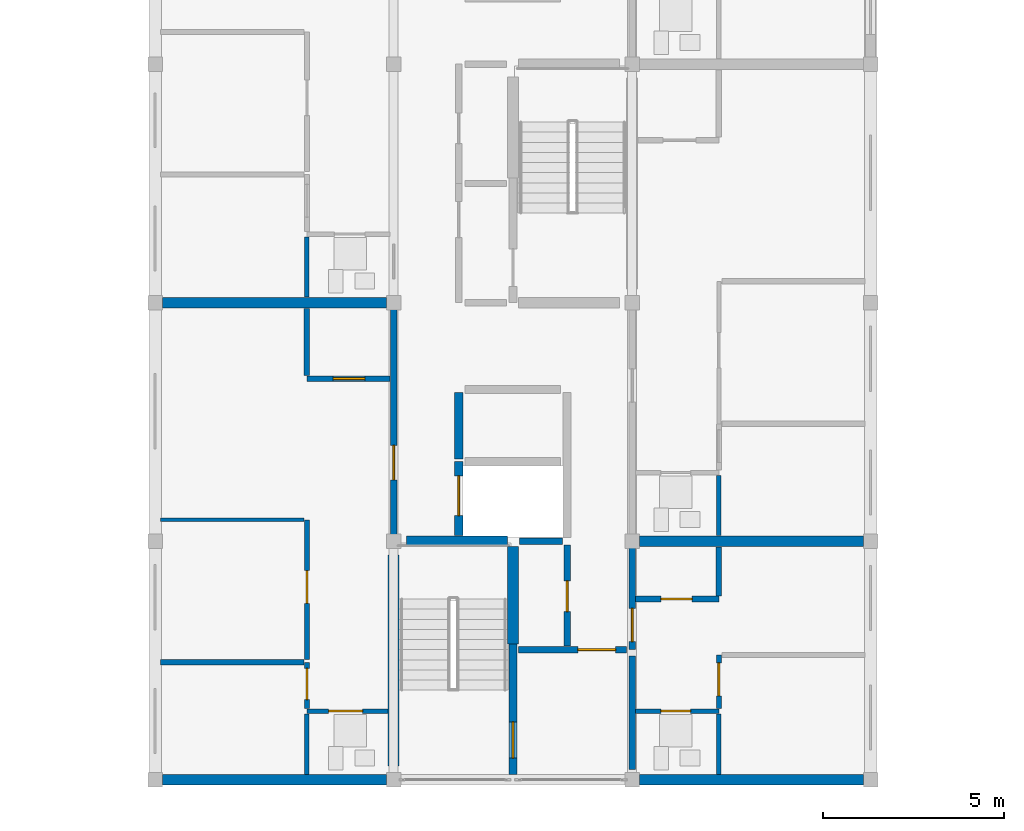
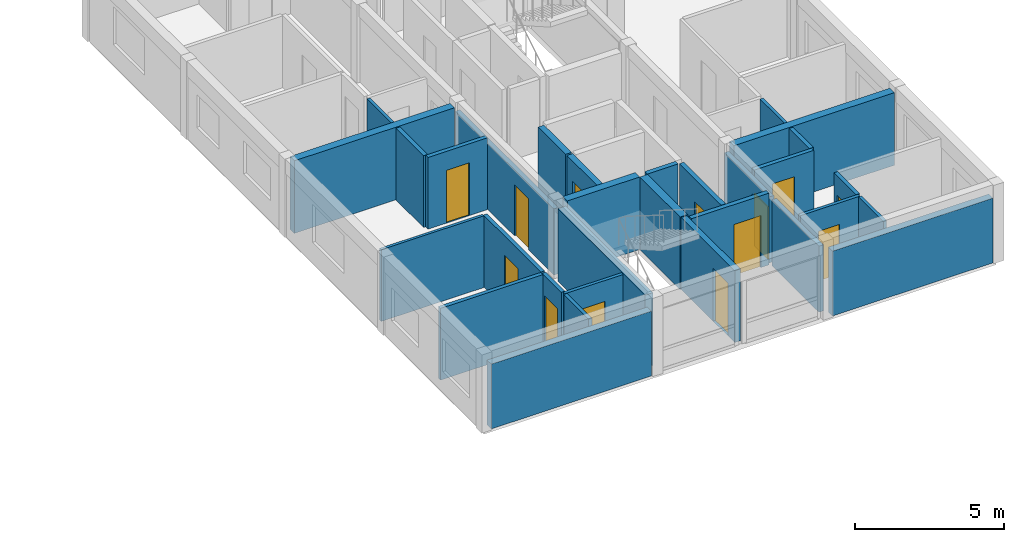
# One storey, part 17 of 34: 31 walls, 13 doors, 13 openings.
"""IFC4 building model written with IfcOpenShell, lengths in metres."""

import ifcopenshell
import ifcopenshell.guid

model = None  # the IFC model being written
_history = None  # IfcOwnerHistory: only IFC2X3 demands one
_inside = {}  # id of a spatial element -> (the spatial element, [elements in it])
_under = {}  # id of a project, library or spatial element -> (it, [spatial elements below it])
_declared = {}  # id of a project -> (the project, [libraries it declares])
_typed = {}  # id of a type object -> (the type object, [elements of that type])
_made_of = {}  # id of a material, layer set ... -> (it, [elements and type objects made of it])


def new_model(schema):
    """Start an empty IFC model of exactly this schema.

    Asked for "IFC4X3", IfcOpenShell would pick the latest addendum, in which some entities
    have other attributes; the version numbers below select the first issue.
    IFC2X3 requires an IfcOwnerHistory on every rooted entity: one is made here for all.
    """
    global model, _history
    if schema == "IFC4X3":
        model = ifcopenshell.file(schema_version=(4, 3, 0, 0))
    else:
        model = ifcopenshell.file(schema=schema)
    _inside.clear()
    _under.clear()
    _declared.clear()
    _typed.clear()
    _made_of.clear()
    _history = None
    if model.schema == "IFC2X3":
        org = make("IfcOrganization", Name="unknown")
        user = make(
            "IfcPersonAndOrganization",
            ThePerson=make("IfcPerson", FamilyName="unknown"),
            TheOrganization=org,
        )
        app = make(
            "IfcApplication",
            ApplicationDeveloper=org,
            Version="unknown",
            ApplicationFullName="unknown",
            ApplicationIdentifier="unknown",
        )
        _history = make(
            "IfcOwnerHistory",
            OwningUser=user,
            OwningApplication=app,
            ChangeAction="ADDED",
            CreationDate=0,
        )
    return model


def make(cls, **values):
    """One entity of the class cls with the attributes given. An attribute that is None is left unset."""
    return model.create_entity(
        cls, **{name: value for name, value in values.items() if value is not None}
    )


def rooted(cls, **values):
    """An entity with a GlobalId (a new one), such as an element, a storey or a relation."""
    return make(cls, GlobalId=ifcopenshell.guid.new(), OwnerHistory=_history, **values)


def si_unit(unit_type, name, prefix=None):
    """IfcSIUnit, for example si_unit("LENGTHUNIT", "METRE", prefix="MILLI")."""
    return make("IfcSIUnit", UnitType=unit_type, Prefix=prefix, Name=name)


def assignment(units):
    """IfcUnitAssignment: the units of a project."""
    return None if units is None else make("IfcUnitAssignment", Units=units)


def point(xyz):
    """IfcCartesianPoint."""
    return None if xyz is None else make("IfcCartesianPoint", Coordinates=xyz)


def direction(xyz):
    """IfcDirection."""
    return None if xyz is None else make("IfcDirection", DirectionRatios=xyz)


def frame(location, z_axis=None, x_axis=None):
    """IfcAxis2Placement3D, a coordinate frame: its origin and axes. An axis left out is left unset."""
    return make(
        "IfcAxis2Placement3D",
        Location=point(location),
        Axis=direction(z_axis),
        RefDirection=direction(x_axis),
    )


def frame_2d(location, x_axis=None):
    """IfcAxis2Placement2D, a coordinate frame in the plane: its origin and x axis."""
    return make(
        "IfcAxis2Placement2D", Location=point(location), RefDirection=direction(x_axis)
    )


def origin():
    """The frame at (0, 0, 0) with its axes left unset."""
    return frame((0.0, 0.0, 0.0))


def place(relative_to, where):
    """IfcLocalPlacement: puts the frame where relative to a parent placement (None: the world)."""
    return make(
        "IfcLocalPlacement", PlacementRelTo=relative_to, RelativePlacement=where
    )


def context(
    kind, dimensions, precision=None, world=None, true_north=None, identifier=None
):
    """IfcGeometricRepresentationContext, for example the 3D "Model" context."""
    return make(
        "IfcGeometricRepresentationContext",
        ContextIdentifier=identifier,
        ContextType=kind,
        CoordinateSpaceDimension=dimensions,
        Precision=precision,
        WorldCoordinateSystem=world,
        TrueNorth=true_north,
    )


def subcontext(parent, identifier, kind, view, scale=None):
    """IfcGeometricRepresentationSubContext, for example "Body" below "Model"."""
    return make(
        "IfcGeometricRepresentationSubContext",
        ContextIdentifier=identifier,
        ContextType=kind,
        ParentContext=parent,
        TargetScale=scale,
        TargetView=view,
    )


def project(units=None, contexts=None):
    """IfcProject with its units and contexts."""
    return rooted(
        "IfcProject",
        Name="project",
        RepresentationContexts=contexts,
        UnitsInContext=assignment(units),
    )


def spatial(cls, under=None, at=None, **own):
    """A site, building, storey or space (cls), placed at a placement, below another one or the project."""
    s = rooted(cls, ObjectPlacement=at, **own)
    if under is not None:
        _under.setdefault(under.id(), (under, []))[1].append(s)
    return s


def profile(cls, at=None, kind="AREA", **sizes):
    """A parametric profile (cls). Its sizes go by their IFC names, for example OverallWidth=200.0."""
    return make(cls, ProfileType=kind, Position=at, **sizes)


def rectangle(**sizes):
    """IfcRectangleProfileDef."""
    return profile("IfcRectangleProfileDef", **sizes)


def extrude(swept, where, along, depth):
    """IfcExtrudedAreaSolid: the profile swept, set in the frame where, extruded along a direction by depth."""
    return make(
        "IfcExtrudedAreaSolid",
        SweptArea=swept,
        Position=where,
        ExtrudedDirection=direction(along),
        Depth=depth,
    )


def shape(context_of_items, identifier, shape_type, items):
    """IfcShapeRepresentation: the items that make up one representation, for example the "Body"."""
    return make(
        "IfcShapeRepresentation",
        ContextOfItems=context_of_items,
        RepresentationIdentifier=identifier,
        RepresentationType=shape_type,
        Items=items,
    )


def material(Name=None, Category=None):
    """IfcMaterial."""
    return make("IfcMaterial", Name=Name, Category=Category)


def layer(
    of_material, thickness, ventilated=None, Name=None, Category=None, Priority=None
):
    """IfcMaterialLayer: one layer of a wall or slab, of a material (None: an air gap)."""
    return make(
        "IfcMaterialLayer",
        Material=of_material,
        LayerThickness=thickness,
        IsVentilated=ventilated,
        Name=Name,
        Category=Category,
        Priority=Priority,
    )


def layer_set(layers, Name=None):
    """IfcMaterialLayerSet."""
    return make("IfcMaterialLayerSet", MaterialLayers=layers, LayerSetName=Name)


def made_of(thing, what):
    """Note that an element or type object is made of a material, layer set ...; save() writes the relation."""
    if what is not None:
        _made_of.setdefault(what.id(), (what, []))[1].append(thing)
    return thing


def type_object(cls, material=None, **own):
    """A type object (cls), such as IfcWallType, which elements share."""
    return made_of(rooted(cls, **own), material)


def element(
    cls,
    number,
    at=None,
    inside=None,
    cuts=None,
    type_object=None,
    material=None,
    context=None,
    identifier="Body",
    shape_type=None,
    held_by="IfcProductDefinitionShape",
    body=None,
    shapes=None,
    **own,
):
    """One element of the class cls, such as IfcWall. Its Tag is "e" and its number.

    at: its placement. inside: the storey or other place that contains it. cuts: it is an
    opening in that element (IfcRelVoidsElement). A single representation is given by context,
    identifier, shape_type and body (its items); several are given by shapes. held_by: the class
    of the entity that holds the representations. save() writes the other relations.
    """
    e = rooted(cls, Tag="e%d" % number, ObjectPlacement=at, **own)
    if body is not None:
        shapes = [shape(context, identifier, shape_type, body)]
    if shapes is not None:
        e.Representation = make(held_by, Representations=shapes)
    if inside is not None:
        _inside.setdefault(inside.id(), (inside, []))[1].append(e)
    if cuts is not None:
        rooted(
            "IfcRelVoidsElement", RelatingBuildingElement=cuts, RelatedOpeningElement=e
        )
    if type_object is not None:
        _typed.setdefault(type_object.id(), (type_object, []))[1].append(e)
    return made_of(e, material)


def fill(opening, filler):
    """IfcRelFillsElement: the door or window that sits in an opening."""
    return rooted(
        "IfcRelFillsElement",
        RelatingOpeningElement=opening,
        RelatedBuildingElement=filler,
    )


def aggregate(whole, parts):
    """IfcRelAggregates: a whole, such as a stair, and the parts it consists of."""
    return rooted("IfcRelAggregates", RelatingObject=whole, RelatedObjects=parts)


def save(model, path):
    """Write the relations noted so far, then the file.

    IfcRelAggregates (storeys below a building ...), IfcRelContainedInSpatialStructure (elements
    in a storey), IfcRelDefinesByType, IfcRelAssociatesMaterial and IfcRelDeclares: one each for
    every whole, place, type object, material and project.
    """
    for whole, parts in _under.values():
        aggregate(whole, parts)
    for where, things in _inside.values():
        rooted(
            "IfcRelContainedInSpatialStructure",
            RelatedElements=things,
            RelatingStructure=where,
        )
    for kind, things in _typed.values():
        rooted("IfcRelDefinesByType", RelatedObjects=things, RelatingType=kind)
    for what, things in _made_of.values():
        rooted("IfcRelAssociatesMaterial", RelatedObjects=things, RelatingMaterial=what)
    for by, libraries in _declared.values():
        rooted("IfcRelDeclares", RelatingContext=by, RelatedDefinitions=libraries)
    model.write(path)


model = new_model("IFC4")

# Units and contexts
model_context = context("Model", 3, precision=1e-05, world=origin(), true_north=direction((0.0, 1.0)))
body_context = subcontext(model_context, "Body", "Model", "MODEL_VIEW")
ifc_project = project(units=[si_unit("LENGTHUNIT", "METRE"), si_unit("AREAUNIT", "SQUARE_METRE"), si_unit("VOLUMEUNIT", "CUBIC_METRE"), si_unit("PLANEANGLEUNIT", "RADIAN"), si_unit("MASSUNIT", "GRAM", prefix="KILO")], contexts=[model_context])

# Site, building, storey
site_placement = place(None, origin())
site = spatial("IfcSite", under=ifc_project, at=site_placement, CompositionType="ELEMENT")
building_placement = place(site_placement, origin())
building = spatial("IfcBuilding", under=site, at=building_placement, Name="Kernevlak Ridge Housing Community", CompositionType="ELEMENT")
storey_placement = place(building_placement, frame((0.0, 0.0, 34.0)))
storey = spatial("IfcBuildingStorey", under=building, at=storey_placement, Name="L10", CompositionType="ELEMENT", Elevation=34.0)

# Walls
ifc_material_1 = material(Name="Concrete block masonry M10", Category="masonry")
ifc_layer_1 = layer(ifc_material_1, 0.280029296875, Name="Concrete block masonry M10")
ifc_layer_set_1 = layer_set([ifc_layer_1], Name="Concrete block masonry M10")
wall_type_1 = type_object("IfcWallType", Name="EW-03", PredefinedType="STANDARD", material=ifc_layer_set_1)
wall_1_placement = place(storey_placement, frame((126.199951171875, 15.60009765625, 0.0), z_axis=(0.0, 0.0, 1.0), x_axis=(1.0, 0.0, 0.0)))
element("IfcWall", 1, at=wall_1_placement, inside=storey, type_object=wall_type_1, Name="Exterior wall EW-03 L10 680", PredefinedType="STANDARD", context=body_context, shape_type="SweptSolid", body=[
    extrude(rectangle(XDim=6.199951171875, YDim=0.280029296875, at=frame_2d((3.10009765625, 0.0))), origin(), (0.0, 0.0, 1.0), 2.64990234375),
])
wall_2_placement = place(storey_placement, frame((139.39990234375, 15.60009765625, 0.0), z_axis=(0.0, 0.0, 1.0), x_axis=(1.0, 0.0, 0.0)))
element("IfcWall", 2, at=wall_2_placement, inside=storey, type_object=wall_type_1, Name="Exterior wall EW-03 L10 681", PredefinedType="STANDARD", context=body_context, shape_type="SweptSolid", body=[
    extrude(rectangle(XDim=6.2001953125, YDim=0.280029296875, at=frame_2d((3.10009765625, 0.0))), origin(), (0.0, 0.0, 1.0), 2.64990234375),
])

# Wall, opening, door
ifc_material_2 = material(Name="Concrete C35/45", Category="concrete")
ifc_layer_2 = layer(ifc_material_2, 0.22509765625, Name="Concrete C35/45")
ifc_layer_set_2 = layer_set([ifc_layer_2], Name="Concrete C35/45")
wall_type_2 = type_object("IfcWallType", Name="PW-01", PredefinedType="STANDARD", material=ifc_layer_set_2)
wall_3_placement = place(storey_placement, frame((135.89990234375, 15.75, 0.0), z_axis=(0.0, 0.0, 1.0), x_axis=(0.0, 1.0, 0.0)))
wall_3 = element("IfcWall", 3, at=wall_3_placement, inside=storey, type_object=wall_type_2, Name="Interior wall PW-01 WAL-INT-L10-2729", PredefinedType="STANDARD", context=body_context, shape_type="SweptSolid", body=[
    extrude(rectangle(XDim=3.60009765625, YDim=0.22509765625, at=frame_2d((1.800048828125, 0.0))), origin(), (0.0, 0.0, 1.0), 2.93505859375),
])
opening_1_placement = place(wall_3_placement, frame((0.449951171875, 0.0, 0.0)))
opening_1 = element("IfcOpeningElement", 4, at=opening_1_placement, cuts=wall_3, Name="Opening E385", PredefinedType="OPENING", context=body_context, shape_type="SweptSolid", body=[
    extrude(rectangle(XDim=1.0, YDim=2.159912109375, at=frame_2d((0.5, 1.080078125))), frame((0.0, 0.12255859375, 0.0), z_axis=(0.0, -1.0, 0.0), x_axis=(1.0, 0.0, 0.0)), (0.0, 0.0, 1.0), 0.2451171875),
])
ifc_material_3 = material(Name="Fire-rated sheet steel leaf", Category="steel")
door_type_1 = type_object("IfcDoorType", Name="DT-15", OperationType="NOTDEFINED", PredefinedType="DOOR", material=ifc_material_3)
door_1_placement = place(opening_1_placement, origin())
door_1 = element("IfcDoor", 5, at=door_1_placement, inside=storey, type_object=door_type_1, Name="Block C Stair 1 fire door E385", OperationType="SINGLE_SWING_RIGHT", OverallHeight=2.159912109375, OverallWidth=1.0, PredefinedType="DOOR", context=body_context, shape_type="SweptSolid", body=[
    extrude(rectangle(XDim=1.0, YDim=2.159912109375, at=frame_2d((0.5, 1.080078125))), frame((0.0, 0.02490234375, 0.0), z_axis=(0.0, -1.0, 0.0), x_axis=(1.0, 0.0, 0.0)), (0.0, 0.0, 1.0), 0.050048828125),
])
fill(opening_1, door_1)

wall_4_placement = place(storey_placement, frame((134.39990234375, 22.360107421875, 0.0), z_axis=(0.0, 0.0, 1.0), x_axis=(0.0, 1.0, 0.0)))
wall_4 = element("IfcWall", 6, at=wall_4_placement, inside=storey, type_object=wall_type_2, Name="Interior wall PW-01 WAL-INT-L10-2733", PredefinedType="STANDARD", context=body_context, shape_type="SweptSolid", body=[
    extrude(rectangle(XDim=2.039794921875, YDim=0.22509765625, at=frame_2d((1.02001953125, 0.0))), origin(), (0.0, 0.0, 1.0), 2.93505859375),
])
opening_2_placement = place(wall_4_placement, frame((0.550048828125, 0.0, 0.0)))
opening_2 = element("IfcOpeningElement", 7, at=opening_2_placement, cuts=wall_4, Name="Opening LD74", PredefinedType="OPENING", context=body_context, shape_type="SweptSolid", body=[
    extrude(rectangle(XDim=1.10009765625, YDim=2.10009765625, at=frame_2d((0.550048828125, 1.050048828125))), frame((0.0, 0.12255859375, 0.0), z_axis=(0.0, -1.0, 0.0), x_axis=(1.0, 0.0, 0.0)), (0.0, 0.0, 1.0), 0.2451171875),
])
ifc_material_4 = material(Name="Stainless steel EN 1.4401", Category="steel")
door_type_2 = type_object("IfcDoorType", Name="DT-LD1", OperationType="DOUBLE_DOOR_SLIDING", PredefinedType="DOOR", material=ifc_material_4)
door_2_placement = place(opening_2_placement, origin())
door_2 = element("IfcDoor", 8, at=door_2_placement, inside=storey, type_object=door_type_2, Name="Lift LF-C1 landing door LD74", OperationType="DOUBLE_DOOR_SLIDING", OverallHeight=2.10009765625, OverallWidth=1.10009765625, PredefinedType="DOOR", context=body_context, shape_type="SweptSolid", body=[
    extrude(rectangle(XDim=1.10009765625, YDim=2.10009765625, at=frame_2d((0.550048828125, 1.050048828125))), frame((0.0, 0.02490234375, 0.0), z_axis=(0.0, -1.0, 0.0), x_axis=(1.0, 0.0, 0.0)), (0.0, 0.0, 1.0), 0.050048828125),
])
fill(opening_2, door_2)

# Wall
wall_5_placement = place(storey_placement, frame((134.39990234375, 24.47998046875, 0.0), z_axis=(0.0, 0.0, 1.0), x_axis=(0.0, 1.0, 0.0)))
element("IfcWall", 9, at=wall_5_placement, inside=storey, type_object=wall_type_2, Name="Interior wall PW-01 WAL-INT-L10-2734", PredefinedType="STANDARD", context=body_context, shape_type="SweptSolid", body=[
    extrude(rectangle(XDim=1.840087890625, YDim=0.22509765625, at=frame_2d((0.919921875, 0.0))), origin(), (0.0, 0.0, 1.0), 2.93505859375),
])

# Wall, opening, door
ifc_layer_3 = layer(ifc_material_1, 0.175048828125, Name="Concrete block masonry M10")
ifc_layer_set_3 = layer_set([ifc_layer_3], Name="Concrete block masonry M10")
wall_type_3 = type_object("IfcWallType", Name="PW-02", PredefinedType="PARTITIONING", material=ifc_layer_set_3)
wall_6_placement = place(storey_placement, frame((136.050048828125, 19.199951171875, 0.0), z_axis=(0.0, 0.0, 1.0), x_axis=(1.0, 0.0, 0.0)))
wall_6 = element("IfcWall", 10, at=wall_6_placement, inside=storey, type_object=wall_type_3, Name="Interior wall PW-02 WAL-INT-L10-2730", PredefinedType="PARTITIONING", context=body_context, shape_type="SweptSolid", body=[
    extrude(rectangle(XDim=3.0, YDim=0.175048828125, at=frame_2d((1.5, 0.0))), origin(), (0.0, 0.0, 1.0), 2.93505859375),
])
opening_3_placement = place(wall_6_placement, frame((1.64990234375, 0.0, 0.0)))
opening_3 = element("IfcOpeningElement", 11, at=opening_3_placement, cuts=wall_6, Name="Opening E386", PredefinedType="OPENING", context=body_context, shape_type="SweptSolid", body=[
    extrude(rectangle(XDim=1.0400390625, YDim=2.1201171875, at=frame_2d((0.52001953125, 1.06005859375))), frame((0.0, 0.097412109375, 0.0), z_axis=(0.0, -1.0, 0.0), x_axis=(1.0, 0.0, 0.0)), (0.0, 0.0, 1.0), 0.195068359375),
])
door_type_3 = type_object("IfcDoorType", Name="DT-16", OperationType="NOTDEFINED", PredefinedType="DOOR", material=ifc_material_3)
door_3_placement = place(opening_3_placement, origin())
door_3 = element("IfcDoor", 12, at=door_3_placement, inside=storey, type_object=door_type_3, Name="Block C Firefighting lobby 1 door E386", OperationType="SINGLE_SWING_LEFT", OverallHeight=2.1201171875, OverallWidth=1.0400390625, PredefinedType="DOOR", context=body_context, shape_type="SweptSolid", body=[
    extrude(rectangle(XDim=1.0400390625, YDim=2.1201171875, at=frame_2d((0.52001953125, 1.06005859375))), frame((0.0, 0.02490234375, 0.0), z_axis=(0.0, -1.0, 0.0), x_axis=(1.0, 0.0, 0.0)), (0.0, 0.0, 1.0), 0.050048828125),
])
fill(opening_3, door_3)

wall_7_placement = place(storey_placement, frame((137.39990234375, 19.300048828125, 0.0), z_axis=(0.0, 0.0, 1.0), x_axis=(0.0, 1.0, 0.0)))
wall_7 = element("IfcWall", 13, at=wall_7_placement, inside=storey, type_object=wall_type_3, Name="Interior wall PW-02 WAL-INT-L10-2731", PredefinedType="PARTITIONING", context=body_context, shape_type="SweptSolid", body=[
    extrude(rectangle(XDim=2.800048828125, YDim=0.175048828125, at=frame_2d((1.39990234375, 0.0))), origin(), (0.0, 0.0, 1.0), 2.93505859375),
])
opening_4_placement = place(wall_7_placement, frame((0.949951171875, 0.0, 0.0)))
opening_4 = element("IfcOpeningElement", 14, at=opening_4_placement, cuts=wall_7, Name="Opening E387", PredefinedType="OPENING", context=body_context, shape_type="SweptSolid", body=[
    extrude(rectangle(XDim=0.85009765625, YDim=2.0, at=frame_2d((0.425048828125, 1.0))), frame((0.0, 0.097412109375, 0.0), z_axis=(0.0, -1.0, 0.0), x_axis=(1.0, 0.0, 0.0)), (0.0, 0.0, 1.0), 0.195068359375),
])
door_type_4 = type_object("IfcDoorType", Name="DT-07", OperationType="NOTDEFINED", PredefinedType="DOOR", material=ifc_material_3)
door_4_placement = place(opening_4_placement, origin())
door_4 = element("IfcDoor", 15, at=door_4_placement, inside=storey, type_object=door_type_4, Name="Block C Riser shaft door E387", OperationType="SINGLE_SWING_RIGHT", OverallHeight=2.0, OverallWidth=0.85009765625, PredefinedType="DOOR", context=body_context, shape_type="SweptSolid", body=[
    extrude(rectangle(XDim=0.85009765625, YDim=2.0, at=frame_2d((0.425048828125, 1.0))), frame((0.0, 0.02490234375, 0.0), z_axis=(0.0, -1.0, 0.0), x_axis=(1.0, 0.0, 0.0)), (0.0, 0.0, 1.0), 0.050048828125),
])
fill(opening_4, door_4)

# Wall
wall_8_placement = place(storey_placement, frame((136.080078125, 22.199951171875, 0.0), z_axis=(0.0, 0.0, 1.0), x_axis=(1.0, 0.0, 0.0)))
element("IfcWall", 16, at=wall_8_placement, inside=storey, type_object=wall_type_3, Name="Interior wall PW-02 WAL-INT-L10-2732", PredefinedType="PARTITIONING", context=body_context, shape_type="SweptSolid", body=[
    extrude(rectangle(XDim=1.18994140625, YDim=0.175048828125, at=frame_2d((0.594970703125, 0.0))), origin(), (0.0, 0.0, 1.0), 2.93505859375),
])

# Wall, opening, door
wall_9_placement = place(storey_placement, frame((132.60009765625, 22.199951171875, 0.0), z_axis=(0.0, 0.0, 1.0), x_axis=(0.0, 1.0, 0.0)))
wall_9 = element("IfcWall", 17, at=wall_9_placement, inside=storey, type_object=wall_type_3, Name="Interior wall PW-02 WAL-INT-L10-2748", PredefinedType="PARTITIONING", context=body_context, shape_type="SweptSolid", body=[
    extrude(rectangle(XDim=6.60009765625, YDim=0.175048828125, at=frame_2d((3.300048828125, 0.0))), origin(), (0.0, 0.0, 1.0), 2.699951171875),
])
opening_5_placement = place(wall_9_placement, frame((1.699951171875, 0.0, 0.0)))
opening_5 = element("IfcOpeningElement", 18, at=opening_5_placement, cuts=wall_9, Name="Opening E392", PredefinedType="OPENING", context=body_context, shape_type="SweptSolid", body=[
    extrude(rectangle(XDim=0.949951171875, YDim=2.10009765625, at=frame_2d((0.47509765625, 1.050048828125))), frame((0.0, 0.097412109375, 0.0), z_axis=(0.0, -1.0, 0.0), x_axis=(1.0, 0.0, 0.0)), (0.0, 0.0, 1.0), 0.195068359375),
])
ifc_material_5 = material(Name="Hardwood timber solid-core fire leaf", Category="wood")
door_type_5 = type_object("IfcDoorType", Name="DT-01", OperationType="NOTDEFINED", PredefinedType="DOOR", material=ifc_material_5)
door_5_placement = place(opening_5_placement, origin())
door_5 = element("IfcDoor", 19, at=door_5_placement, inside=storey, type_object=door_type_5, Name="Flat C1011 entrance fire door E392", OperationType="SINGLE_SWING_LEFT", OverallHeight=2.10009765625, OverallWidth=0.949951171875, PredefinedType="DOOR", context=body_context, shape_type="SweptSolid", body=[
    extrude(rectangle(XDim=0.949951171875, YDim=2.10009765625, at=frame_2d((0.47509765625, 1.050048828125))), frame((0.0, 0.02490234375, 0.0), z_axis=(0.0, -1.0, 0.0), x_axis=(1.0, 0.0, 0.0)), (0.0, 0.0, 1.0), 0.050048828125),
])
fill(opening_5, door_5)

# Wall
wall_10_placement = place(storey_placement, frame((139.199951171875, 15.8798828125, 0.0), z_axis=(0.0, 0.0, 1.0), x_axis=(0.0, 1.0, 0.0)))
element("IfcWall", 20, at=wall_10_placement, inside=storey, type_object=wall_type_3, Name="Interior wall PW-02 WAL-INT-L10-2766", PredefinedType="PARTITIONING", context=body_context, shape_type="SweptSolid", body=[
    extrude(rectangle(XDim=3.14013671875, YDim=0.175048828125, at=frame_2d((1.570068359375, 0.0))), origin(), (0.0, 0.0, 1.0), 2.699951171875),
])

# Wall, opening, door
wall_11_placement = place(storey_placement, frame((139.199951171875, 19.199951171875, 0.0), z_axis=(0.0, 0.0, 1.0), x_axis=(0.0, 1.0, 0.0)))
wall_11 = element("IfcWall", 21, at=wall_11_placement, inside=storey, type_object=wall_type_3, Name="Interior wall PW-02 WAL-INT-L10-2767", PredefinedType="PARTITIONING", context=body_context, shape_type="SweptSolid", body=[
    extrude(rectangle(XDim=3.0, YDim=0.175048828125, at=frame_2d((1.5, 0.0))), origin(), (0.0, 0.0, 1.0), 2.699951171875),
])
opening_6_placement = place(wall_11_placement, frame((0.219970703125, 0.0, 0.0)))
opening_6 = element("IfcOpeningElement", 22, at=opening_6_placement, cuts=wall_11, Name="Opening E402", PredefinedType="OPENING", context=body_context, shape_type="SweptSolid", body=[
    extrude(rectangle(XDim=0.919921875, YDim=2.139892578125, at=frame_2d((0.4599609375, 1.06982421875))), frame((0.0, 0.097412109375, 0.0), z_axis=(0.0, -1.0, 0.0), x_axis=(1.0, 0.0, 0.0)), (0.0, 0.0, 1.0), 0.195068359375),
])
door_type_6 = type_object("IfcDoorType", Name="DT-20", OperationType="NOTDEFINED", PredefinedType="DOOR", material=ifc_material_5)
door_6_placement = place(opening_6_placement, origin())
door_6 = element("IfcDoor", 23, at=door_6_placement, inside=storey, type_object=door_type_6, Name="Flat C1021 entrance fire door E402", OperationType="SINGLE_SWING_LEFT", OverallHeight=2.139892578125, OverallWidth=0.919921875, PredefinedType="DOOR", context=body_context, shape_type="SweptSolid", body=[
    extrude(rectangle(XDim=0.919921875, YDim=2.139892578125, at=frame_2d((0.4599609375, 1.06982421875))), frame((0.0, 0.02490234375, 0.0), z_axis=(0.0, -1.0, 0.0), x_axis=(1.0, 0.0, 0.0)), (0.0, 0.0, 1.0), 0.050048828125),
])
fill(opening_6, door_6)

ifc_layer_4 = layer(ifc_material_1, 0.14501953125, Name="Concrete block masonry M10")
ifc_layer_set_4 = layer_set([ifc_layer_4], Name="Concrete block masonry M10")
wall_type_4 = type_object("IfcWallType", Name="PW-03", PredefinedType="PARTITIONING", material=ifc_layer_set_4)
wall_12_placement = place(storey_placement, frame((130.199951171875, 17.572509765625, 0.0), z_axis=(0.0, 0.0, 1.0), x_axis=(0.0, 1.0, 0.0)))
wall_12 = element("IfcWall", 24, at=wall_12_placement, inside=storey, type_object=wall_type_4, Name="Interior wall PW-03 WAL-INT-L10-2753", PredefinedType="PARTITIONING", context=body_context, shape_type="SweptSolid", body=[
    extrude(rectangle(XDim=1.277587890625, YDim=0.14501953125, at=frame_2d((0.638671875, 0.0))), origin(), (0.0, 0.0, 1.0), 2.93505859375),
])
opening_7_placement = place(wall_12_placement, frame((0.24755859375, 0.0, 0.0)))
opening_7 = element("IfcOpeningElement", 25, at=opening_7_placement, cuts=wall_12, Name="Opening E395", PredefinedType="OPENING", context=body_context, shape_type="SweptSolid", body=[
    extrude(rectangle(XDim=0.860107421875, YDim=2.1201171875, at=frame_2d((0.43017578125, 1.06005859375))), frame((0.0, 0.08251953125, 0.0), z_axis=(0.0, -1.0, 0.0), x_axis=(1.0, 0.0, 0.0)), (0.0, 0.0, 1.0), 0.1650390625),
])
ifc_material_6 = material(Name="Hardwood timber leaf", Category="wood")
door_type_7 = type_object("IfcDoorType", Name="DT-28", OperationType="NOTDEFINED", PredefinedType="DOOR", material=ifc_material_6)
door_7_placement = place(opening_7_placement, origin())
door_7 = element("IfcDoor", 26, at=door_7_placement, inside=storey, type_object=door_type_7, Name="Flat C1011 bedroom door E395", OperationType="SINGLE_SWING_RIGHT", OverallHeight=2.1201171875, OverallWidth=0.860107421875, PredefinedType="DOOR", context=body_context, shape_type="SweptSolid", body=[
    extrude(rectangle(XDim=0.860107421875, YDim=2.1201171875, at=frame_2d((0.43017578125, 1.06005859375))), frame((0.0, 0.02490234375, 0.0), z_axis=(0.0, -1.0, 0.0), x_axis=(1.0, 0.0, 0.0)), (0.0, 0.0, 1.0), 0.050048828125),
])
fill(opening_7, door_7)

# Wall
wall_13_placement = place(storey_placement, frame((130.117431640625, 18.85009765625, 0.0), z_axis=(0.0, 0.0, 1.0), x_axis=(-1.0, 0.0, 0.0)))
element("IfcWall", 27, at=wall_13_placement, inside=storey, type_object=wall_type_4, Name="Interior wall PW-03 WAL-INT-L10-2754", PredefinedType="PARTITIONING", context=body_context, shape_type="SweptSolid", body=[
    extrude(rectangle(XDim=3.967529296875, YDim=0.14501953125, at=frame_2d((1.98388671875, 0.0))), origin(), (0.0, 0.0, 1.0), 2.93505859375),
])

# Wall, opening, door
wall_14_placement = place(storey_placement, frame((130.199951171875, 18.9326171875, 0.0), z_axis=(0.0, 0.0, 1.0), x_axis=(0.0, 1.0, 0.0)))
wall_14 = element("IfcWall", 28, at=wall_14_placement, inside=storey, type_object=wall_type_4, Name="Interior wall PW-03 WAL-INT-L10-2755", PredefinedType="PARTITIONING", context=body_context, shape_type="SweptSolid", body=[
    extrude(rectangle(XDim=3.859375, YDim=0.14501953125, at=frame_2d((1.9296875, 0.0))), origin(), (0.0, 0.0, 1.0), 2.93505859375),
])
opening_8_placement = place(wall_14_placement, frame((1.5458984375, 0.0, 0.0)))
opening_8 = element("IfcOpeningElement", 29, at=opening_8_placement, cuts=wall_14, Name="Opening E396", PredefinedType="OPENING", context=body_context, shape_type="SweptSolid", body=[
    extrude(rectangle(XDim=0.909912109375, YDim=2.139892578125, at=frame_2d((0.455078125, 1.06982421875))), frame((0.0, 0.08251953125, 0.0), z_axis=(0.0, -1.0, 0.0), x_axis=(1.0, 0.0, 0.0)), (0.0, 0.0, 1.0), 0.1650390625),
])
door_type_8 = type_object("IfcDoorType", Name="DT-31", OperationType="NOTDEFINED", PredefinedType="DOOR", material=ifc_material_6)
door_8_placement = place(opening_8_placement, origin())
door_8 = element("IfcDoor", 30, at=door_8_placement, inside=storey, type_object=door_type_8, Name="Flat C1011 bedroom door E396", OperationType="SINGLE_SWING_LEFT", OverallHeight=2.139892578125, OverallWidth=0.909912109375, PredefinedType="DOOR", context=body_context, shape_type="SweptSolid", body=[
    extrude(rectangle(XDim=0.909912109375, YDim=2.139892578125, at=frame_2d((0.455078125, 1.06982421875))), frame((0.0, 0.02490234375, 0.0), z_axis=(0.0, -1.0, 0.0), x_axis=(1.0, 0.0, 0.0)), (0.0, 0.0, 1.0), 0.050048828125),
])
fill(opening_8, door_8)

wall_15_placement = place(storey_placement, frame((141.60009765625, 17.572509765625, 0.0), z_axis=(0.0, 0.0, 1.0), x_axis=(0.0, 1.0, 0.0)))
wall_15 = element("IfcWall", 31, at=wall_15_placement, inside=storey, type_object=wall_type_4, Name="Interior wall PW-03 WAL-INT-L10-2772", PredefinedType="PARTITIONING", context=body_context, shape_type="SweptSolid", body=[
    extrude(rectangle(XDim=1.4775390625, YDim=0.14501953125, at=frame_2d((0.73876953125, 0.0))), origin(), (0.0, 0.0, 1.0), 2.93505859375),
])
opening_9_placement = place(wall_15_placement, frame((0.35009765625, 0.0, 0.0)))
opening_9 = element("IfcOpeningElement", 32, at=opening_9_placement, cuts=wall_15, Name="Opening E405", PredefinedType="OPENING", context=body_context, shape_type="SweptSolid", body=[
    extrude(rectangle(XDim=0.909912109375, YDim=2.139892578125, at=frame_2d((0.455078125, 1.06982421875))), frame((0.0, 0.08251953125, 0.0), z_axis=(0.0, -1.0, 0.0), x_axis=(1.0, 0.0, 0.0)), (0.0, 0.0, 1.0), 0.1650390625),
])
door_9_placement = place(opening_9_placement, origin())
door_9 = element("IfcDoor", 33, at=door_9_placement, inside=storey, type_object=door_type_8, Name="Flat C1021 bedroom door E405", OperationType="SINGLE_SWING_RIGHT", OverallHeight=2.139892578125, OverallWidth=0.909912109375, PredefinedType="DOOR", context=body_context, shape_type="SweptSolid", body=[
    extrude(rectangle(XDim=0.909912109375, YDim=2.139892578125, at=frame_2d((0.455078125, 1.06982421875))), frame((0.0, 0.02490234375, 0.0), z_axis=(0.0, -1.0, 0.0), x_axis=(1.0, 0.0, 0.0)), (0.0, 0.0, 1.0), 0.050048828125),
])
fill(opening_9, door_9)

ifc_material_7 = material(Name="Gypsum plasterboard EN 520", Category="gypsum")
ifc_layer_5 = layer(ifc_material_7, 0.125, Name="Gypsum plasterboard EN 520")
ifc_layer_set_5 = layer_set([ifc_layer_5], Name="Gypsum plasterboard EN 520")
wall_type_5 = type_object("IfcWallType", Name="PW-04", PredefinedType="PARTITIONING", material=ifc_layer_set_5)
wall_16_placement = place(storey_placement, frame((132.43994140625, 17.5, 0.0), z_axis=(0.0, 0.0, 1.0), x_axis=(-1.0, 0.0, 0.0)))
wall_16 = element("IfcWall", 34, at=wall_16_placement, inside=storey, type_object=wall_type_5, Name="Interior wall PW-04 WAL-INT-L10-2749", PredefinedType="PARTITIONING", context=body_context, shape_type="SweptSolid", body=[
    extrude(rectangle(XDim=2.239990234375, YDim=0.125, at=frame_2d((1.1201171875, 0.0))), origin(), (0.0, 0.0, 1.0), 2.93505859375),
])
opening_10_placement = place(wall_16_placement, frame((0.699951171875, 0.0, 0.0)))
opening_10 = element("IfcOpeningElement", 35, at=opening_10_placement, cuts=wall_16, Name="Opening E393", PredefinedType="OPENING", context=body_context, shape_type="SweptSolid", body=[
    extrude(rectangle(XDim=0.93994140625, YDim=2.080078125, at=frame_2d((0.469970703125, 1.0400390625))), frame((0.0, 0.072509765625, 0.0), z_axis=(0.0, -1.0, 0.0), x_axis=(1.0, 0.0, 0.0)), (0.0, 0.0, 1.0), 0.14501953125),
])
ifc_material_8 = material(Name="Hardwood timber moisture-resistant leaf", Category="wood")
door_type_9 = type_object("IfcDoorType", Name="DT-23", OperationType="NOTDEFINED", PredefinedType="DOOR", material=ifc_material_8)
door_10_placement = place(opening_10_placement, origin())
door_10 = element("IfcDoor", 36, at=door_10_placement, inside=storey, type_object=door_type_9, Name="Flat C1011 bathroom door E393", OperationType="SINGLE_SWING_RIGHT", OverallHeight=2.080078125, OverallWidth=0.93994140625, PredefinedType="DOOR", context=body_context, shape_type="SweptSolid", body=[
    extrude(rectangle(XDim=0.93994140625, YDim=2.080078125, at=frame_2d((0.469970703125, 1.0400390625))), frame((0.0, 0.02490234375, 0.0), z_axis=(0.0, -1.0, 0.0), x_axis=(1.0, 0.0, 0.0)), (0.0, 0.0, 1.0), 0.050048828125),
])
fill(opening_10, door_10)

# Walls
wall_17_placement = place(storey_placement, frame((130.199951171875, 15.75, 0.0), z_axis=(0.0, 0.0, 1.0), x_axis=(0.0, 1.0, 0.0)))
element("IfcWall", 37, at=wall_17_placement, inside=storey, type_object=wall_type_5, Name="Interior wall PW-04 WAL-INT-L10-2750", PredefinedType="PARTITIONING", context=body_context, shape_type="SweptSolid", body=[
    extrude(rectangle(XDim=1.669921875, YDim=0.125, at=frame_2d((0.8349609375, 0.0))), origin(), (0.0, 0.0, 1.0), 2.93505859375),
])
wall_18_placement = place(storey_placement, frame((130.199951171875, 28.9599609375, 0.0), z_axis=(0.0, 0.0, 1.0), x_axis=(0.0, 1.0, 0.0)))
element("IfcWall", 38, at=wall_18_placement, inside=storey, type_object=wall_type_5, Name="Interior wall PW-04 WAL-INT-L10-2759", PredefinedType="PARTITIONING", context=body_context, shape_type="SweptSolid", body=[
    extrude(rectangle(XDim=1.66015625, YDim=0.125, at=frame_2d((0.830078125, 0.0))), origin(), (0.0, 0.0, 1.0), 2.93505859375),
])

# Wall, opening, door
wall_19_placement = place(storey_placement, frame((139.297607421875, 17.5, 0.0), z_axis=(0.0, 0.0, 1.0), x_axis=(1.0, 0.0, 0.0)))
wall_19 = element("IfcWall", 39, at=wall_19_placement, inside=storey, type_object=wall_type_5, Name="Interior wall PW-04 WAL-INT-L10-2768", PredefinedType="PARTITIONING", context=body_context, shape_type="SweptSolid", body=[
    extrude(rectangle(XDim=2.302490234375, YDim=0.125, at=frame_2d((1.1513671875, 0.0))), origin(), (0.0, 0.0, 1.0), 2.93505859375),
])
opening_11_placement = place(wall_19_placement, frame((0.699951171875, 0.0, 0.0)))
opening_11 = element("IfcOpeningElement", 40, at=opening_11_placement, cuts=wall_19, Name="Opening E403", PredefinedType="OPENING", context=body_context, shape_type="SweptSolid", body=[
    extrude(rectangle(XDim=0.820068359375, YDim=2.050048828125, at=frame_2d((0.41015625, 1.02490234375))), frame((0.0, 0.072509765625, 0.0), z_axis=(0.0, -1.0, 0.0), x_axis=(1.0, 0.0, 0.0)), (0.0, 0.0, 1.0), 0.14501953125),
])
door_type_10 = type_object("IfcDoorType", Name="DT-30", OperationType="NOTDEFINED", PredefinedType="DOOR", material=ifc_material_8)
door_11_placement = place(opening_11_placement, origin())
door_11 = element("IfcDoor", 41, at=door_11_placement, inside=storey, type_object=door_type_10, Name="Flat C1021 bathroom door E403", OperationType="SINGLE_SWING_RIGHT", OverallHeight=2.050048828125, OverallWidth=0.820068359375, PredefinedType="DOOR", context=body_context, shape_type="SweptSolid", body=[
    extrude(rectangle(XDim=0.820068359375, YDim=2.050048828125, at=frame_2d((0.41015625, 1.02490234375))), frame((0.0, 0.02490234375, 0.0), z_axis=(0.0, -1.0, 0.0), x_axis=(1.0, 0.0, 0.0)), (0.0, 0.0, 1.0), 0.050048828125),
])
fill(opening_11, door_11)

# Walls
wall_20_placement = place(storey_placement, frame((141.60009765625, 15.75, 0.0), z_axis=(0.0, 0.0, 1.0), x_axis=(0.0, 1.0, 0.0)))
element("IfcWall", 42, at=wall_20_placement, inside=storey, type_object=wall_type_5, Name="Interior wall PW-04 WAL-INT-L10-2769", PredefinedType="PARTITIONING", context=body_context, shape_type="SweptSolid", body=[
    extrude(rectangle(XDim=1.669921875, YDim=0.125, at=frame_2d((0.8349609375, 0.0))), origin(), (0.0, 0.0, 1.0), 2.93505859375),
])
wall_21_placement = place(storey_placement, frame((141.60009765625, 22.360107421875, 0.0), z_axis=(0.0, 0.0, 1.0), x_axis=(0.0, 1.0, 0.0)))
element("IfcWall", 43, at=wall_21_placement, inside=storey, type_object=wall_type_5, Name="Interior wall PW-04 WAL-INT-L10-2776", PredefinedType="PARTITIONING", context=body_context, shape_type="SweptSolid", body=[
    extrude(rectangle(XDim=1.659912109375, YDim=0.125, at=frame_2d((0.830078125, 0.0))), origin(), (0.0, 0.0, 1.0), 2.93505859375),
])

# Wall, opening, door
ifc_layer_6 = layer(ifc_material_7, 0.155029296875, Name="Gypsum plasterboard EN 520")
ifc_layer_set_6 = layer_set([ifc_layer_6], Name="Gypsum plasterboard EN 520")
wall_type_6 = type_object("IfcWallType", Name="PW-05", PredefinedType="PARTITIONING", material=ifc_layer_set_6)
wall_22_placement = place(storey_placement, frame((132.50244140625, 26.699951171875, 0.0), z_axis=(0.0, 0.0, 1.0), x_axis=(-1.0, 0.0, 0.0)))
wall_22 = element("IfcWall", 44, at=wall_22_placement, inside=storey, type_object=wall_type_6, Name="Interior wall PW-05 WAL-INT-L10-2751", PredefinedType="PARTITIONING", context=body_context, shape_type="SweptSolid", body=[
    extrude(rectangle(XDim=2.302490234375, YDim=0.155029296875, at=frame_2d((1.1513671875, 0.0))), origin(), (0.0, 0.0, 1.0), 2.93505859375),
])
opening_12_placement = place(wall_22_placement, frame((0.699951171875, 0.0, 0.0)))
opening_12 = element("IfcOpeningElement", 45, at=opening_12_placement, cuts=wall_22, Name="Opening E394", PredefinedType="OPENING", context=body_context, shape_type="SweptSolid", body=[
    extrude(rectangle(XDim=0.8798828125, YDim=2.159912109375, at=frame_2d((0.43994140625, 1.080078125))), frame((0.0, 0.08740234375, 0.0), z_axis=(0.0, -1.0, 0.0), x_axis=(1.0, 0.0, 0.0)), (0.0, 0.0, 1.0), 0.175048828125),
])
door_type_11 = type_object("IfcDoorType", Name="DT-26", OperationType="NOTDEFINED", PredefinedType="DOOR", material=ifc_material_6)
door_12_placement = place(opening_12_placement, origin())
door_12 = element("IfcDoor", 46, at=door_12_placement, inside=storey, type_object=door_type_11, Name="Flat C1011 kitchen door E394", OperationType="SINGLE_SWING_LEFT", OverallHeight=2.159912109375, OverallWidth=0.8798828125, PredefinedType="DOOR", context=body_context, shape_type="SweptSolid", body=[
    extrude(rectangle(XDim=0.8798828125, YDim=2.159912109375, at=frame_2d((0.43994140625, 1.080078125))), frame((0.0, 0.02490234375, 0.0), z_axis=(0.0, -1.0, 0.0), x_axis=(1.0, 0.0, 0.0)), (0.0, 0.0, 1.0), 0.050048828125),
])
fill(opening_12, door_12)

# Wall
wall_23_placement = place(storey_placement, frame((130.199951171875, 26.78759765625, 0.0), z_axis=(0.0, 0.0, 1.0), x_axis=(0.0, 1.0, 0.0)))
element("IfcWall", 47, at=wall_23_placement, inside=storey, type_object=wall_type_6, Name="Interior wall PW-05 WAL-INT-L10-2752", PredefinedType="PARTITIONING", context=body_context, shape_type="SweptSolid", body=[
    extrude(rectangle(XDim=1.852294921875, YDim=0.155029296875, at=frame_2d((0.92626953125, 0.0))), origin(), (0.0, 0.0, 1.0), 2.93505859375),
])

# Wall, opening, door
wall_24_placement = place(storey_placement, frame((139.297607421875, 20.60009765625, 0.0), z_axis=(0.0, 0.0, 1.0), x_axis=(1.0, 0.0, 0.0)))
wall_24 = element("IfcWall", 48, at=wall_24_placement, inside=storey, type_object=wall_type_6, Name="Interior wall PW-05 WAL-INT-L10-2770", PredefinedType="PARTITIONING", context=body_context, shape_type="SweptSolid", body=[
    extrude(rectangle(XDim=2.302490234375, YDim=0.155029296875, at=frame_2d((1.1513671875, 0.0))), origin(), (0.0, 0.0, 1.0), 2.93505859375),
])
opening_13_placement = place(wall_24_placement, frame((0.699951171875, 0.0, 0.0)))
opening_13 = element("IfcOpeningElement", 49, at=opening_13_placement, cuts=wall_24, Name="Opening E404", PredefinedType="OPENING", context=body_context, shape_type="SweptSolid", body=[
    extrude(rectangle(XDim=0.860107421875, YDim=2.1201171875, at=frame_2d((0.43017578125, 1.06005859375))), frame((0.0, 0.08740234375, 0.0), z_axis=(0.0, -1.0, 0.0), x_axis=(1.0, 0.0, 0.0)), (0.0, 0.0, 1.0), 0.175048828125),
])
door_13_placement = place(opening_13_placement, origin())
door_13 = element("IfcDoor", 50, at=door_13_placement, inside=storey, type_object=door_type_7, Name="Flat C1021 kitchen door E404", OperationType="SINGLE_SWING_LEFT", OverallHeight=2.1201171875, OverallWidth=0.860107421875, PredefinedType="DOOR", context=body_context, shape_type="SweptSolid", body=[
    extrude(rectangle(XDim=0.860107421875, YDim=2.1201171875, at=frame_2d((0.43017578125, 1.06005859375))), frame((0.0, 0.02490234375, 0.0), z_axis=(0.0, -1.0, 0.0), x_axis=(1.0, 0.0, 0.0)), (0.0, 0.0, 1.0), 0.050048828125),
])
fill(opening_13, door_13)

# Walls
wall_25_placement = place(storey_placement, frame((141.60009765625, 20.6875, 0.0), z_axis=(0.0, 0.0, 1.0), x_axis=(0.0, 1.0, 0.0)))
element("IfcWall", 51, at=wall_25_placement, inside=storey, type_object=wall_type_6, Name="Interior wall PW-05 WAL-INT-L10-2771", PredefinedType="PARTITIONING", context=body_context, shape_type="SweptSolid", body=[
    extrude(rectangle(XDim=1.3525390625, YDim=0.155029296875, at=frame_2d((0.67626953125, 0.0))), origin(), (0.0, 0.0, 1.0), 2.93505859375),
])
ifc_layer_7 = layer(ifc_material_7, 0.10498046875, Name="Gypsum plasterboard EN 520")
ifc_layer_set_7 = layer_set([ifc_layer_7], Name="Gypsum plasterboard EN 520")
wall_type_7 = type_object("IfcWallType", Name="PW-06", PredefinedType="PARTITIONING", material=ifc_layer_set_7)
wall_26_placement = place(storey_placement, frame((130.117431640625, 22.7919921875, 0.0), z_axis=(0.0, 0.0, 1.0), x_axis=(-1.0, 0.0, 0.0)))
element("IfcWall", 52, at=wall_26_placement, inside=storey, type_object=wall_type_7, Name="Interior wall PW-06 WAL-INT-L10-2756", PredefinedType="PARTITIONING", context=body_context, shape_type="SweptSolid", body=[
    extrude(rectangle(XDim=3.967529296875, YDim=0.10498046875, at=frame_2d((1.98388671875, 0.0))), origin(), (0.0, 0.0, 1.0), 2.93505859375),
])
ifc_material_9 = material(Name="Concrete C40/50", Category="concrete")
ifc_layer_8 = layer(ifc_material_9, 0.300048828125, Name="Concrete C40/50")
ifc_layer_set_8 = layer_set([ifc_layer_8], Name="Concrete C40/50")
wall_type_8 = type_object("IfcWallType", Name="SW-02", PredefinedType="SHEAR", material=ifc_layer_set_8)
wall_27_placement = place(storey_placement, frame((132.60009765625, 15.97998046875, 0.0), z_axis=(0.0, 0.0, 1.0), x_axis=(0.0, 1.0, 0.0)))
element("IfcWall", 53, at=wall_27_placement, inside=storey, type_object=wall_type_8, Name="Shear wall SW-02 Block C L10 471", PredefinedType="SHEAR", context=body_context, shape_type="SweptSolid", body=[
    extrude(rectangle(XDim=5.840087890625, YDim=0.300048828125, at=frame_2d((2.919921875, 0.0))), origin(), (0.0, 0.0, 1.0), 2.969970703125),
])
wall_28_placement = place(storey_placement, frame((135.89990234375, 19.35009765625, 0.0), z_axis=(0.0, 0.0, 1.0), x_axis=(0.0, 1.0, 0.0)))
element("IfcWall", 54, at=wall_28_placement, inside=storey, type_object=wall_type_8, Name="Shear wall SW-02 Block C L10 472", PredefinedType="SHEAR", context=body_context, shape_type="SweptSolid", body=[
    extrude(rectangle(XDim=2.699951171875, YDim=0.300048828125, at=frame_2d((1.35009765625, 0.0))), origin(), (0.0, 0.0, 1.0), 2.969970703125),
])
wall_29_placement = place(storey_placement, frame((132.949951171875, 22.199951171875, 0.0), z_axis=(0.0, 0.0, 1.0), x_axis=(1.0, 0.0, 0.0)))
element("IfcWall", 55, at=wall_29_placement, inside=storey, type_object=wall_type_8, Name="Shear wall SW-02 Block C L10 473", PredefinedType="SHEAR", context=body_context, shape_type="SweptSolid", body=[
    extrude(rectangle(XDim=2.800048828125, YDim=0.300048828125, at=frame_2d((1.39990234375, 0.0))), origin(), (0.0, 0.0, 1.0), 2.969970703125),
])
wall_30_placement = place(storey_placement, frame((126.199951171875, 28.800048828125, 0.0), z_axis=(0.0, 0.0, 1.0), x_axis=(1.0, 0.0, 0.0)))
element("IfcWall", 56, at=wall_30_placement, inside=storey, type_object=wall_type_8, Name="Shear wall SW-02 Block C L10 478", PredefinedType="SHEAR", context=body_context, shape_type="SweptSolid", body=[
    extrude(rectangle(XDim=6.199951171875, YDim=0.300048828125, at=frame_2d((3.10009765625, 0.0))), origin(), (0.0, 0.0, 1.0), 2.969970703125),
])
wall_31_placement = place(storey_placement, frame((139.39990234375, 22.199951171875, 0.0), z_axis=(0.0, 0.0, 1.0), x_axis=(1.0, 0.0, 0.0)))
element("IfcWall", 57, at=wall_31_placement, inside=storey, type_object=wall_type_8, Name="Shear wall SW-02 Block C L10 479", PredefinedType="SHEAR", context=body_context, shape_type="SweptSolid", body=[
    extrude(rectangle(XDim=6.2001953125, YDim=0.300048828125, at=frame_2d((3.10009765625, 0.0))), origin(), (0.0, 0.0, 1.0), 2.969970703125),
])

save(model, "model.ifc")
